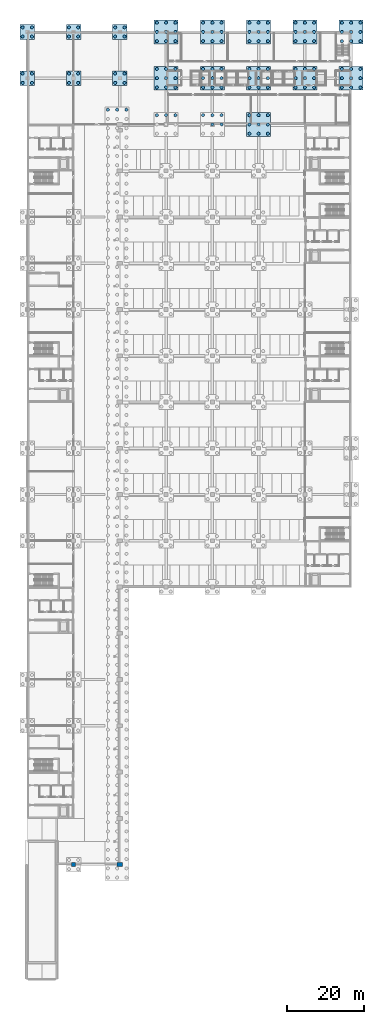
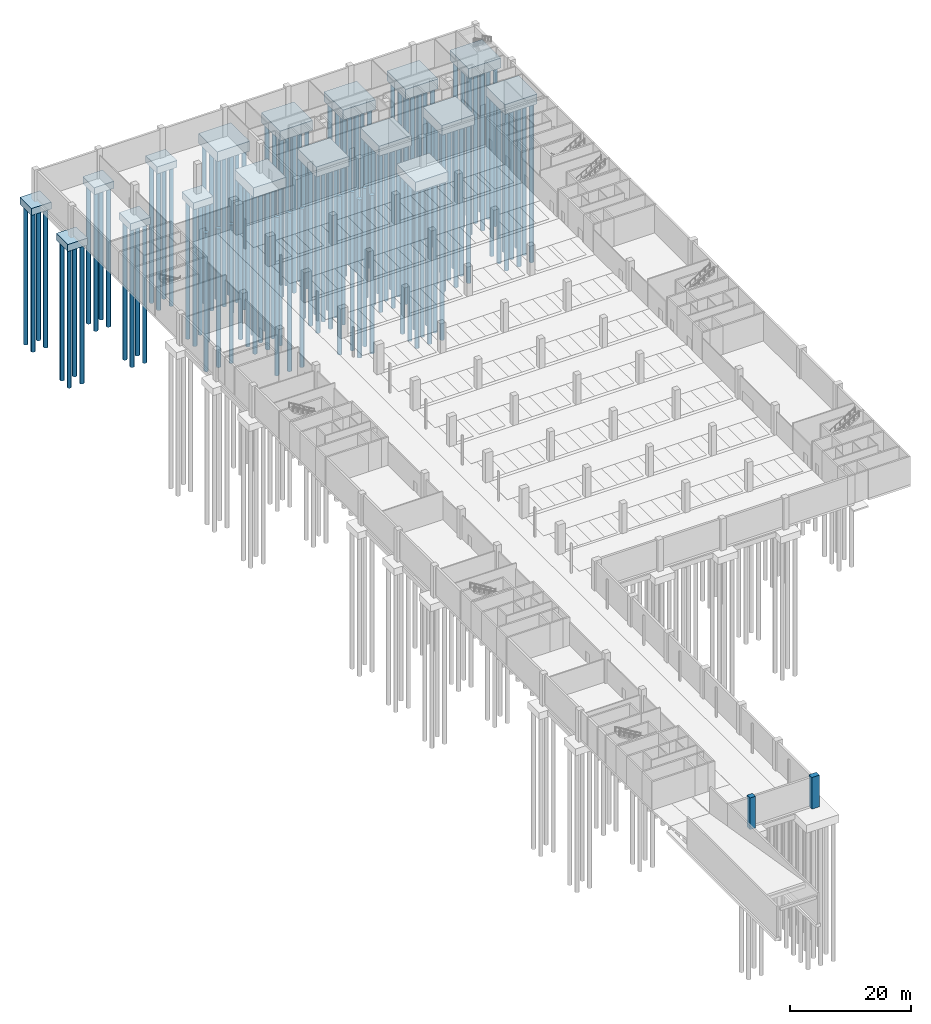
# One storey, part 4 of 34: 134 piles, 17 footings, 2 columns.
"""IFC4 building model written with IfcOpenShell, lengths in metres."""

from ifc_helpers import new_model, si_unit, direction, frame, origin, origin_2d, place, context, subcontext, project, spatial, polyline, rectangle, circle, outline, extrude, material, layer, layer_set, material_profile, profile_set, type_object, element, save


model = new_model("IFC4")

# Units and contexts
model_context = context("Model", 3, precision=1e-05, world=origin(), true_north=direction((0.0, 1.0)))
body_context = subcontext(model_context, "Body", "Model", "MODEL_VIEW")
ifc_project = project(units=[si_unit("LENGTHUNIT", "METRE"), si_unit("AREAUNIT", "SQUARE_METRE"), si_unit("VOLUMEUNIT", "CUBIC_METRE"), si_unit("PLANEANGLEUNIT", "RADIAN"), si_unit("MASSUNIT", "GRAM", prefix="KILO")], contexts=[model_context])

# Site, building, storey
site_placement = place(None, origin())
site = spatial("IfcSite", under=ifc_project, at=site_placement, CompositionType="ELEMENT")
building_placement = place(site_placement, origin())
building = spatial("IfcBuilding", under=site, at=building_placement, Name="Lilac Gate Convention Centre", CompositionType="ELEMENT")
storey_placement = place(building_placement, frame((0.0, 0.0, -6.0)))
storey = spatial("IfcBuildingStorey", under=building, at=storey_placement, Name="B1", CompositionType="ELEMENT", Elevation=-6.0)

# Piles
ifc_material_1 = material(Name="Concrete C35", Category="concrete")
ifc_material_profile_1 = material_profile(ifc_material_1, circle(Radius=0.39990234375, at=origin_2d()), Name="D800")
ifc_profile_set_1 = profile_set([ifc_material_profile_1], Name="Concrete C35")
pile_type_1 = type_object("IfcPileType", Name="Bored pile D800 L28 C35", PredefinedType="BORED", material=ifc_profile_set_1)
for number, where, z_axis, x_axis, name in (
    (1, (26.89990234375, 225.824951171875, -2.0), (0.0, 0.0, -1.0), (1.0, 0.0, 0.0), "PL1 pile 84 of PC3 at 29.3/126.225"),
    (2, (29.300048828125, 225.824951171875, -2.0), (0.0, 0.0, -1.0), (1.0, 0.0, 0.0), "PL1 pile 168 of PC3 at 29.3/126.225"),
    (3, (31.699951171875, 225.824951171875, -2.0), (0.0, 0.0, -1.0), (1.0, 0.0, 0.0), "PL1 pile 252 of PC3 at 29.3/126.225"),
    (4, (4.800048828125, 232.800048828125, -1.800048828125), (0.0, 0.0, -1.0), (1.0, 0.0, 0.0), "PL1 pile 1 of PC1 at 1/T"),
    (5, (4.800048828125, 235.199951171875, -1.800048828125), (0.0, 0.0, -1.0), (1.0, 0.0, 0.0), "PL1 pile 2 of PC1 at 1/T"),
    (6, (7.199951171875, 232.800048828125, -1.800048828125), (0.0, 0.0, -1.0), (1.0, 0.0, 0.0), "PL1 pile 3 of PC1 at 1/T"),
    (7, (7.199951171875, 235.199951171875, -1.800048828125), (0.0, 0.0, -1.0), (1.0, 0.0, 0.0), "PL1 pile 4 of PC1 at 1/T"),
    (8, (16.800048828125, 232.800048828125, -1.800048828125), (0.0, 0.0, -1.0), (1.0, 0.0, 0.0), "PL1 pile 1 of PC1 at 2/T"),
    (9, (16.800048828125, 235.199951171875, -1.800048828125), (0.0, 0.0, -1.0), (1.0, 0.0, 0.0), "PL1 pile 2 of PC1 at 2/T"),
    (10, (19.199951171875, 232.800048828125, -1.800048828125), (0.0, 0.0, -1.0), (1.0, 0.0, 0.0), "PL1 pile 3 of PC1 at 2/T"),
    (11, (19.199951171875, 235.199951171875, -1.800048828125), (0.0, 0.0, -1.0), (1.0, 0.0, 0.0), "PL1 pile 4 of PC1 at 2/T"),
    (12, (28.800048828125, 232.800048828125, -1.800048828125), (0.0, 0.0, -1.0), (1.0, 0.0, 0.0), "PL1 pile 1 of PC1 at 3/T"),
    (13, (28.800048828125, 235.199951171875, -1.800048828125), (0.0, 0.0, -1.0), (1.0, 0.0, 0.0), "PL1 pile 2 of PC1 at 3/T"),
    (14, (31.199951171875, 232.800048828125, -1.800048828125), (0.0, 0.0, -1.0), (1.0, 0.0, 0.0), "PL1 pile 3 of PC1 at 3/T"),
    (15, (31.199951171875, 235.199951171875, -1.800048828125), (0.0, 0.0, -1.0), (1.0, 0.0, 0.0), "PL1 pile 4 of PC1 at 3/T"),
    (16, (4.800048828125, 244.800048828125, -1.800048828125), (0.0, 0.0, -1.0), (1.0, 0.0, 0.0), "PL1 pile 1 of PC1 at 1/U"),
    (17, (4.800048828125, 247.199951171875, -1.800048828125), (0.0, 0.0, -1.0), (1.0, 0.0, 0.0), "PL1 pile 2 of PC1 at 1/U"),
    (18, (7.199951171875, 244.800048828125, -1.800048828125), (0.0, 0.0, -1.0), (1.0, 0.0, 0.0), "PL1 pile 3 of PC1 at 1/U"),
    (19, (7.199951171875, 247.199951171875, -1.800048828125), (0.0, 0.0, -1.0), (1.0, 0.0, 0.0), "PL1 pile 4 of PC1 at 1/U"),
    (20, (16.800048828125, 244.800048828125, -1.800048828125), (0.0, 0.0, -1.0), (1.0, 0.0, 0.0), "PL1 pile 1 of PC1 at 2/U"),
    (21, (16.800048828125, 247.199951171875, -1.800048828125), (0.0, 0.0, -1.0), (1.0, 0.0, 0.0), "PL1 pile 2 of PC1 at 2/U"),
    (22, (19.199951171875, 244.800048828125, -1.800048828125), (0.0, 0.0, -1.0), (1.0, 0.0, 0.0), "PL1 pile 3 of PC1 at 2/U"),
    (23, (19.199951171875, 247.199951171875, -1.800048828125), (0.0, 0.0, -1.0), (1.0, 0.0, 0.0), "PL1 pile 4 of PC1 at 2/U"),
    (24, (28.800048828125, 244.800048828125, -1.800048828125), (0.0, 0.0, -1.0), (1.0, 0.0, 0.0), "PL1 pile 1 of PC1 at 3/U"),
    (25, (28.800048828125, 247.199951171875, -1.800048828125), (0.0, 0.0, -1.0), (1.0, 0.0, 0.0), "PL1 pile 2 of PC1 at 3/U"),
    (26, (31.199951171875, 244.800048828125, -1.800048828125), (0.0, 0.0, -1.0), (1.0, 0.0, 0.0), "PL1 pile 3 of PC1 at 3/U"),
    (27, (31.199951171875, 247.199951171875, -1.800048828125), (0.0, 0.0, -1.0), (1.0, 0.0, 0.0), "PL1 pile 4 of PC1 at 3/U"),
):
    element("IfcPile", number, at=place(storey_placement, frame(where, z_axis=z_axis, x_axis=x_axis)), inside=storey, type_object=pile_type_1, Name=name, PredefinedType="BORED", context=body_context, shape_type="SweptSolid", body=[
        extrude(circle(Radius=0.39990234375, at=origin_2d()), origin(), (0.0, 0.0, 1.0), 28.0),
    ])
ifc_material_profile_2 = material_profile(ifc_material_1, circle(Radius=0.39990234375, at=origin_2d()), Name="D800")
ifc_profile_set_2 = profile_set([ifc_material_profile_2], Name="Concrete C35")
pile_type_2 = type_object("IfcPileType", Name="Bored pile D800 L32 C35", PredefinedType="BORED", material=ifc_profile_set_2)
for number, where, z_axis, x_axis, name in (
    (28, (39.60009765625, 224.39990234375, -2.39990234375), (0.0, 0.0, -1.0), (1.0, 0.0, 0.0), "PL2 pile 3 of PC4 at 4/S"),
    (29, (42.0, 224.39990234375, -2.39990234375), (0.0, 0.0, -1.0), (1.0, 0.0, 0.0), "PL2 pile 6 of PC4 at 4/S"),
    (30, (44.39990234375, 224.39990234375, -2.39990234375), (0.0, 0.0, -1.0), (1.0, 0.0, 0.0), "PL2 pile 9 of PC4 at 4/S"),
    (31, (51.60009765625, 224.39990234375, -2.39990234375), (0.0, 0.0, -1.0), (1.0, 0.0, 0.0), "PL2 pile 3 of PC4 at 5/S"),
    (32, (54.0, 222.0, -2.39990234375), (0.0, 0.0, -1.0), (1.0, 0.0, 0.0), "PL2 pile 5 of PC4 at 5/S"),
    (33, (54.0, 224.39990234375, -2.39990234375), (0.0, 0.0, -1.0), (1.0, 0.0, 0.0), "PL2 pile 6 of PC4 at 5/S"),
    (34, (56.39990234375, 222.0, -2.39990234375), (0.0, 0.0, -1.0), (1.0, 0.0, 0.0), "PL2 pile 8 of PC4 at 5/S"),
    (35, (56.39990234375, 224.39990234375, -2.39990234375), (0.0, 0.0, -1.0), (1.0, 0.0, 0.0), "PL2 pile 9 of PC4 at 5/S"),
    (36, (63.60009765625, 219.60009765625, -2.39990234375), (0.0, 0.0, -1.0), (1.0, 0.0, 0.0), "PL2 pile 1 of PC4 at 6/S"),
    (37, (63.60009765625, 222.0, -2.39990234375), (0.0, 0.0, -1.0), (1.0, 0.0, 0.0), "PL2 pile 2 of PC4 at 6/S"),
    (38, (63.60009765625, 224.39990234375, -2.39990234375), (0.0, 0.0, -1.0), (1.0, 0.0, 0.0), "PL2 pile 3 of PC4 at 6/S"),
    (39, (66.0, 219.60009765625, -2.39990234375), (0.0, 0.0, -1.0), (1.0, 0.0, 0.0), "PL2 pile 4 of PC4 at 6/S"),
    (40, (66.0, 222.0, -2.39990234375), (0.0, 0.0, -1.0), (1.0, 0.0, 0.0), "PL2 pile 5 of PC4 at 6/S"),
    (41, (66.0, 224.39990234375, -2.39990234375), (0.0, 0.0, -1.0), (1.0, 0.0, 0.0), "PL2 pile 6 of PC4 at 6/S"),
    (42, (68.39990234375, 219.60009765625, -2.39990234375), (0.0, 0.0, -1.0), (1.0, 0.0, 0.0), "PL2 pile 7 of PC4 at 6/S"),
    (43, (68.39990234375, 222.0, -2.39990234375), (0.0, 0.0, -1.0), (1.0, 0.0, 0.0), "PL2 pile 8 of PC4 at 6/S"),
    (44, (68.39990234375, 224.39990234375, -2.39990234375), (0.0, 0.0, -1.0), (1.0, 0.0, 0.0), "PL2 pile 9 of PC4 at 6/S"),
    (45, (39.60009765625, 231.60009765625, -2.39990234375), (0.0, 0.0, -1.0), (1.0, 0.0, 0.0), "PL2 pile 1 of PC4 at 4/T"),
    (46, (39.60009765625, 234.0, -2.39990234375), (0.0, 0.0, -1.0), (1.0, 0.0, 0.0), "PL2 pile 2 of PC4 at 4/T"),
    (47, (39.60009765625, 236.39990234375, -2.39990234375), (0.0, 0.0, -1.0), (1.0, 0.0, 0.0), "PL2 pile 3 of PC4 at 4/T"),
    (48, (42.0, 231.60009765625, -2.39990234375), (0.0, 0.0, -1.0), (1.0, 0.0, 0.0), "PL2 pile 4 of PC4 at 4/T"),
    (49, (42.0, 234.0, -2.39990234375), (0.0, 0.0, -1.0), (1.0, 0.0, 0.0), "PL2 pile 5 of PC4 at 4/T"),
    (50, (42.0, 236.39990234375, -2.39990234375), (0.0, 0.0, -1.0), (1.0, 0.0, 0.0), "PL2 pile 6 of PC4 at 4/T"),
    (51, (44.39990234375, 231.60009765625, -2.39990234375), (0.0, 0.0, -1.0), (1.0, 0.0, 0.0), "PL2 pile 7 of PC4 at 4/T"),
    (52, (44.39990234375, 234.0, -2.39990234375), (0.0, 0.0, -1.0), (1.0, 0.0, 0.0), "PL2 pile 8 of PC4 at 4/T"),
    (53, (44.39990234375, 236.39990234375, -2.39990234375), (0.0, 0.0, -1.0), (1.0, 0.0, 0.0), "PL2 pile 9 of PC4 at 4/T"),
    (54, (51.60009765625, 231.60009765625, -2.39990234375), (0.0, 0.0, -1.0), (1.0, 0.0, 0.0), "PL2 pile 1 of PC4 at 5/T"),
    (55, (51.60009765625, 234.0, -2.39990234375), (0.0, 0.0, -1.0), (1.0, 0.0, 0.0), "PL2 pile 2 of PC4 at 5/T"),
    (56, (51.60009765625, 236.39990234375, -2.39990234375), (0.0, 0.0, -1.0), (1.0, 0.0, 0.0), "PL2 pile 3 of PC4 at 5/T"),
    (57, (54.0, 231.60009765625, -2.39990234375), (0.0, 0.0, -1.0), (1.0, 0.0, 0.0), "PL2 pile 4 of PC4 at 5/T"),
    (58, (54.0, 234.0, -2.39990234375), (0.0, 0.0, -1.0), (1.0, 0.0, 0.0), "PL2 pile 5 of PC4 at 5/T"),
    (59, (54.0, 236.39990234375, -2.39990234375), (0.0, 0.0, -1.0), (1.0, 0.0, 0.0), "PL2 pile 6 of PC4 at 5/T"),
    (60, (56.39990234375, 231.60009765625, -2.39990234375), (0.0, 0.0, -1.0), (1.0, 0.0, 0.0), "PL2 pile 7 of PC4 at 5/T"),
    (61, (56.39990234375, 234.0, -2.39990234375), (0.0, 0.0, -1.0), (1.0, 0.0, 0.0), "PL2 pile 8 of PC4 at 5/T"),
    (62, (56.39990234375, 236.39990234375, -2.39990234375), (0.0, 0.0, -1.0), (1.0, 0.0, 0.0), "PL2 pile 9 of PC4 at 5/T"),
    (63, (63.60009765625, 231.60009765625, -2.39990234375), (0.0, 0.0, -1.0), (1.0, 0.0, 0.0), "PL2 pile 1 of PC4 at 6/T"),
    (64, (63.60009765625, 234.0, -2.39990234375), (0.0, 0.0, -1.0), (1.0, 0.0, 0.0), "PL2 pile 2 of PC4 at 6/T"),
    (65, (63.60009765625, 236.39990234375, -2.39990234375), (0.0, 0.0, -1.0), (1.0, 0.0, 0.0), "PL2 pile 3 of PC4 at 6/T"),
    (66, (66.0, 231.60009765625, -2.39990234375), (0.0, 0.0, -1.0), (1.0, 0.0, 0.0), "PL2 pile 4 of PC4 at 6/T"),
    (67, (66.0, 234.0, -2.39990234375), (0.0, 0.0, -1.0), (1.0, 0.0, 0.0), "PL2 pile 5 of PC4 at 6/T"),
    (68, (66.0, 236.39990234375, -2.39990234375), (0.0, 0.0, -1.0), (1.0, 0.0, 0.0), "PL2 pile 6 of PC4 at 6/T"),
    (69, (68.39990234375, 231.60009765625, -2.39990234375), (0.0, 0.0, -1.0), (1.0, 0.0, 0.0), "PL2 pile 7 of PC4 at 6/T"),
    (70, (68.39990234375, 234.0, -2.39990234375), (0.0, 0.0, -1.0), (1.0, 0.0, 0.0), "PL2 pile 8 of PC4 at 6/T"),
    (71, (68.39990234375, 236.39990234375, -2.39990234375), (0.0, 0.0, -1.0), (1.0, 0.0, 0.0), "PL2 pile 9 of PC4 at 6/T"),
    (72, (75.60009765625, 231.60009765625, -2.39990234375), (0.0, 0.0, -1.0), (1.0, 0.0, 0.0), "PL2 pile 1 of PC4 at 7/T"),
    (73, (75.60009765625, 234.0, -2.39990234375), (0.0, 0.0, -1.0), (1.0, 0.0, 0.0), "PL2 pile 2 of PC4 at 7/T"),
    (74, (75.60009765625, 236.39990234375, -2.39990234375), (0.0, 0.0, -1.0), (1.0, 0.0, 0.0), "PL2 pile 3 of PC4 at 7/T"),
    (75, (78.0, 231.60009765625, -2.39990234375), (0.0, 0.0, -1.0), (1.0, 0.0, 0.0), "PL2 pile 4 of PC4 at 7/T"),
    (76, (78.0, 234.0, -2.39990234375), (0.0, 0.0, -1.0), (1.0, 0.0, 0.0), "PL2 pile 5 of PC4 at 7/T"),
    (77, (78.0, 236.39990234375, -2.39990234375), (0.0, 0.0, -1.0), (1.0, 0.0, 0.0), "PL2 pile 6 of PC4 at 7/T"),
    (78, (80.39990234375, 231.60009765625, -2.39990234375), (0.0, 0.0, -1.0), (1.0, 0.0, 0.0), "PL2 pile 7 of PC4 at 7/T"),
    (79, (80.39990234375, 234.0, -2.39990234375), (0.0, 0.0, -1.0), (1.0, 0.0, 0.0), "PL2 pile 8 of PC4 at 7/T"),
    (80, (80.39990234375, 236.39990234375, -2.39990234375), (0.0, 0.0, -1.0), (1.0, 0.0, 0.0), "PL2 pile 9 of PC4 at 7/T"),
    (81, (87.60009765625, 231.60009765625, -2.39990234375), (0.0, 0.0, -1.0), (1.0, 0.0, 0.0), "PL2 pile 1 of PC4 at 8/T"),
    (82, (87.60009765625, 234.0, -2.39990234375), (0.0, 0.0, -1.0), (1.0, 0.0, 0.0), "PL2 pile 2 of PC4 at 8/T"),
    (83, (87.60009765625, 236.39990234375, -2.39990234375), (0.0, 0.0, -1.0), (1.0, 0.0, 0.0), "PL2 pile 3 of PC4 at 8/T"),
    (84, (90.0, 231.60009765625, -2.39990234375), (0.0, 0.0, -1.0), (1.0, 0.0, 0.0), "PL2 pile 4 of PC4 at 8/T"),
    (85, (90.0, 234.0, -2.39990234375), (0.0, 0.0, -1.0), (1.0, 0.0, 0.0), "PL2 pile 5 of PC4 at 8/T"),
    (86, (90.0, 236.39990234375, -2.39990234375), (0.0, 0.0, -1.0), (1.0, 0.0, 0.0), "PL2 pile 6 of PC4 at 8/T"),
    (87, (92.39990234375, 231.60009765625, -2.39990234375), (0.0, 0.0, -1.0), (1.0, 0.0, 0.0), "PL2 pile 7 of PC4 at 8/T"),
    (88, (92.39990234375, 234.0, -2.39990234375), (0.0, 0.0, -1.0), (1.0, 0.0, 0.0), "PL2 pile 8 of PC4 at 8/T"),
    (89, (92.39990234375, 236.39990234375, -2.39990234375), (0.0, 0.0, -1.0), (1.0, 0.0, 0.0), "PL2 pile 9 of PC4 at 8/T"),
    (90, (39.60009765625, 243.60009765625, -2.39990234375), (0.0, 0.0, -1.0), (1.0, 0.0, 0.0), "PL2 pile 1 of PC4 at 4/U"),
    (91, (39.60009765625, 246.0, -2.39990234375), (0.0, 0.0, -1.0), (1.0, 0.0, 0.0), "PL2 pile 2 of PC4 at 4/U"),
    (92, (39.60009765625, 248.39990234375, -2.39990234375), (0.0, 0.0, -1.0), (1.0, 0.0, 0.0), "PL2 pile 3 of PC4 at 4/U"),
    (93, (42.0, 243.60009765625, -2.39990234375), (0.0, 0.0, -1.0), (1.0, 0.0, 0.0), "PL2 pile 4 of PC4 at 4/U"),
    (94, (42.0, 246.0, -2.39990234375), (0.0, 0.0, -1.0), (1.0, 0.0, 0.0), "PL2 pile 5 of PC4 at 4/U"),
    (95, (42.0, 248.39990234375, -2.39990234375), (0.0, 0.0, -1.0), (1.0, 0.0, 0.0), "PL2 pile 6 of PC4 at 4/U"),
    (96, (44.39990234375, 243.60009765625, -2.39990234375), (0.0, 0.0, -1.0), (1.0, 0.0, 0.0), "PL2 pile 7 of PC4 at 4/U"),
    (97, (44.39990234375, 246.0, -2.39990234375), (0.0, 0.0, -1.0), (1.0, 0.0, 0.0), "PL2 pile 8 of PC4 at 4/U"),
    (98, (44.39990234375, 248.39990234375, -2.39990234375), (0.0, 0.0, -1.0), (1.0, 0.0, 0.0), "PL2 pile 9 of PC4 at 4/U"),
    (99, (51.60009765625, 243.60009765625, -2.39990234375), (0.0, 0.0, -1.0), (1.0, 0.0, 0.0), "PL2 pile 1 of PC4 at 5/U"),
    (100, (51.60009765625, 246.0, -2.39990234375), (0.0, 0.0, -1.0), (1.0, 0.0, 0.0), "PL2 pile 2 of PC4 at 5/U"),
    (101, (51.60009765625, 248.39990234375, -2.39990234375), (0.0, 0.0, -1.0), (1.0, 0.0, 0.0), "PL2 pile 3 of PC4 at 5/U"),
    (102, (54.0, 243.60009765625, -2.39990234375), (0.0, 0.0, -1.0), (1.0, 0.0, 0.0), "PL2 pile 4 of PC4 at 5/U"),
    (103, (54.0, 246.0, -2.39990234375), (0.0, 0.0, -1.0), (1.0, 0.0, 0.0), "PL2 pile 5 of PC4 at 5/U"),
    (104, (54.0, 248.39990234375, -2.39990234375), (0.0, 0.0, -1.0), (1.0, 0.0, 0.0), "PL2 pile 6 of PC4 at 5/U"),
    (105, (56.39990234375, 243.60009765625, -2.39990234375), (0.0, 0.0, -1.0), (1.0, 0.0, 0.0), "PL2 pile 7 of PC4 at 5/U"),
    (106, (56.39990234375, 246.0, -2.39990234375), (0.0, 0.0, -1.0), (1.0, 0.0, 0.0), "PL2 pile 8 of PC4 at 5/U"),
    (107, (56.39990234375, 248.39990234375, -2.39990234375), (0.0, 0.0, -1.0), (1.0, 0.0, 0.0), "PL2 pile 9 of PC4 at 5/U"),
    (108, (63.60009765625, 243.60009765625, -2.39990234375), (0.0, 0.0, -1.0), (1.0, 0.0, 0.0), "PL2 pile 1 of PC4 at 6/U"),
    (109, (63.60009765625, 246.0, -2.39990234375), (0.0, 0.0, -1.0), (1.0, 0.0, 0.0), "PL2 pile 2 of PC4 at 6/U"),
    (110, (63.60009765625, 248.39990234375, -2.39990234375), (0.0, 0.0, -1.0), (1.0, 0.0, 0.0), "PL2 pile 3 of PC4 at 6/U"),
    (111, (66.0, 243.60009765625, -2.39990234375), (0.0, 0.0, -1.0), (1.0, 0.0, 0.0), "PL2 pile 4 of PC4 at 6/U"),
    (112, (66.0, 246.0, -2.39990234375), (0.0, 0.0, -1.0), (1.0, 0.0, 0.0), "PL2 pile 5 of PC4 at 6/U"),
    (113, (66.0, 248.39990234375, -2.39990234375), (0.0, 0.0, -1.0), (1.0, 0.0, 0.0), "PL2 pile 6 of PC4 at 6/U"),
    (114, (68.39990234375, 243.60009765625, -2.39990234375), (0.0, 0.0, -1.0), (1.0, 0.0, 0.0), "PL2 pile 7 of PC4 at 6/U"),
    (115, (68.39990234375, 246.0, -2.39990234375), (0.0, 0.0, -1.0), (1.0, 0.0, 0.0), "PL2 pile 8 of PC4 at 6/U"),
    (116, (68.39990234375, 248.39990234375, -2.39990234375), (0.0, 0.0, -1.0), (1.0, 0.0, 0.0), "PL2 pile 9 of PC4 at 6/U"),
    (117, (75.60009765625, 243.60009765625, -2.39990234375), (0.0, 0.0, -1.0), (1.0, 0.0, 0.0), "PL2 pile 1 of PC4 at 7/U"),
    (118, (75.60009765625, 246.0, -2.39990234375), (0.0, 0.0, -1.0), (1.0, 0.0, 0.0), "PL2 pile 2 of PC4 at 7/U"),
    (119, (75.60009765625, 248.39990234375, -2.39990234375), (0.0, 0.0, -1.0), (1.0, 0.0, 0.0), "PL2 pile 3 of PC4 at 7/U"),
    (120, (78.0, 243.60009765625, -2.39990234375), (0.0, 0.0, -1.0), (1.0, 0.0, 0.0), "PL2 pile 4 of PC4 at 7/U"),
    (121, (78.0, 246.0, -2.39990234375), (0.0, 0.0, -1.0), (1.0, 0.0, 0.0), "PL2 pile 5 of PC4 at 7/U"),
    (122, (78.0, 248.39990234375, -2.39990234375), (0.0, 0.0, -1.0), (1.0, 0.0, 0.0), "PL2 pile 6 of PC4 at 7/U"),
    (123, (80.39990234375, 243.60009765625, -2.39990234375), (0.0, 0.0, -1.0), (1.0, 0.0, 0.0), "PL2 pile 7 of PC4 at 7/U"),
    (124, (80.39990234375, 246.0, -2.39990234375), (0.0, 0.0, -1.0), (1.0, 0.0, 0.0), "PL2 pile 8 of PC4 at 7/U"),
    (125, (80.39990234375, 248.39990234375, -2.39990234375), (0.0, 0.0, -1.0), (1.0, 0.0, 0.0), "PL2 pile 9 of PC4 at 7/U"),
    (126, (87.60009765625, 243.60009765625, -2.39990234375), (0.0, 0.0, -1.0), (1.0, 0.0, 0.0), "PL2 pile 1 of PC4 at 8/U"),
    (127, (87.60009765625, 246.0, -2.39990234375), (0.0, 0.0, -1.0), (1.0, 0.0, 0.0), "PL2 pile 2 of PC4 at 8/U"),
    (128, (87.60009765625, 248.39990234375, -2.39990234375), (0.0, 0.0, -1.0), (1.0, 0.0, 0.0), "PL2 pile 3 of PC4 at 8/U"),
    (129, (90.0, 243.60009765625, -2.39990234375), (0.0, 0.0, -1.0), (1.0, 0.0, 0.0), "PL2 pile 4 of PC4 at 8/U"),
    (130, (90.0, 246.0, -2.39990234375), (0.0, 0.0, -1.0), (1.0, 0.0, 0.0), "PL2 pile 5 of PC4 at 8/U"),
    (131, (90.0, 248.39990234375, -2.39990234375), (0.0, 0.0, -1.0), (1.0, 0.0, 0.0), "PL2 pile 6 of PC4 at 8/U"),
    (132, (92.39990234375, 243.60009765625, -2.39990234375), (0.0, 0.0, -1.0), (1.0, 0.0, 0.0), "PL2 pile 7 of PC4 at 8/U"),
    (133, (92.39990234375, 246.0, -2.39990234375), (0.0, 0.0, -1.0), (1.0, 0.0, 0.0), "PL2 pile 8 of PC4 at 8/U"),
    (134, (92.39990234375, 248.39990234375, -2.39990234375), (0.0, 0.0, -1.0), (1.0, 0.0, 0.0), "PL2 pile 9 of PC4 at 8/U"),
):
    element("IfcPile", number, at=place(storey_placement, frame(where, z_axis=z_axis, x_axis=x_axis)), inside=storey, type_object=pile_type_2, Name=name, PredefinedType="BORED", context=body_context, shape_type="SweptSolid", body=[
        extrude(circle(Radius=0.39990234375, at=origin_2d()), origin(), (0.0, 0.0, 1.0), 32.0),
    ])

# Footings
ifc_material_2 = material(Name="Concrete C40", Category="concrete")
ifc_layer_1 = layer(ifc_material_2, 1.39990234375)
ifc_layer_set_1 = layer_set([ifc_layer_1], Name="Concrete C40")
footing_type_1 = type_object("IfcFootingType", Name="Pile cap 2x2 piles 1400 C40", PredefinedType="PILE_CAP", material=ifc_layer_set_1)
footing_1_placement = place(storey_placement, frame((0.0, 0.0, -1.800048828125)))
element("IfcFooting", 135, at=footing_1_placement, inside=storey, type_object=footing_type_1, Name="PC1 pile cap at 1/T", PredefinedType="PILE_CAP", context=body_context, shape_type="SweptSolid", body=[
    extrude(outline(polyline([(4.10009765625, 232.10009765625), (7.89990234375, 232.10009765625), (7.89990234375, 235.89990234375), (4.10009765625, 235.89990234375), (4.10009765625, 232.10009765625)])), origin(), (0.0, 0.0, 1.0), 1.400146484375),
])
footing_2_placement = place(storey_placement, frame((0.0, 0.0, -1.800048828125)))
element("IfcFooting", 136, at=footing_2_placement, inside=storey, type_object=footing_type_1, Name="PC1 pile cap at 2/T", PredefinedType="PILE_CAP", context=body_context, shape_type="SweptSolid", body=[
    extrude(outline(polyline([(16.10009765625, 232.10009765625), (19.89990234375, 232.10009765625), (19.89990234375, 235.89990234375), (16.10009765625, 235.89990234375), (16.10009765625, 232.10009765625)])), origin(), (0.0, 0.0, 1.0), 1.400146484375),
])
footing_3_placement = place(storey_placement, frame((0.0, 0.0, -1.800048828125)))
element("IfcFooting", 137, at=footing_3_placement, inside=storey, type_object=footing_type_1, Name="PC1 pile cap at 3/T", PredefinedType="PILE_CAP", context=body_context, shape_type="SweptSolid", body=[
    extrude(outline(polyline([(28.10009765625, 232.10009765625), (31.89990234375, 232.10009765625), (31.89990234375, 235.89990234375), (28.10009765625, 235.89990234375), (28.10009765625, 232.10009765625)])), origin(), (0.0, 0.0, 1.0), 1.400146484375),
])
footing_4_placement = place(storey_placement, frame((0.0, 0.0, -1.800048828125)))
element("IfcFooting", 138, at=footing_4_placement, inside=storey, type_object=footing_type_1, Name="PC1 pile cap at 1/U", PredefinedType="PILE_CAP", context=body_context, shape_type="SweptSolid", body=[
    extrude(outline(polyline([(4.10009765625, 244.10009765625), (7.89990234375, 244.10009765625), (7.89990234375, 247.89990234375), (4.10009765625, 247.89990234375), (4.10009765625, 244.10009765625)])), origin(), (0.0, 0.0, 1.0), 1.400146484375),
])
footing_5_placement = place(storey_placement, frame((0.0, 0.0, -1.800048828125)))
element("IfcFooting", 139, at=footing_5_placement, inside=storey, type_object=footing_type_1, Name="PC1 pile cap at 2/U", PredefinedType="PILE_CAP", context=body_context, shape_type="SweptSolid", body=[
    extrude(outline(polyline([(16.10009765625, 244.10009765625), (19.89990234375, 244.10009765625), (19.89990234375, 247.89990234375), (16.10009765625, 247.89990234375), (16.10009765625, 244.10009765625)])), origin(), (0.0, 0.0, 1.0), 1.400146484375),
])
footing_6_placement = place(storey_placement, frame((0.0, 0.0, -1.800048828125)))
element("IfcFooting", 140, at=footing_6_placement, inside=storey, type_object=footing_type_1, Name="PC1 pile cap at 3/U", PredefinedType="PILE_CAP", context=body_context, shape_type="SweptSolid", body=[
    extrude(outline(polyline([(28.10009765625, 244.10009765625), (31.89990234375, 244.10009765625), (31.89990234375, 247.89990234375), (28.10009765625, 247.89990234375), (28.10009765625, 244.10009765625)])), origin(), (0.0, 0.0, 1.0), 1.400146484375),
])
ifc_layer_2 = layer(ifc_material_2, 2.0)
ifc_layer_set_2 = layer_set([ifc_layer_2], Name="Concrete C40")
footing_type_2 = type_object("IfcFootingType", Name="Pile cap 3x3 piles 2000 C40", PredefinedType="PILE_CAP", material=ifc_layer_set_2)
footing_7_placement = place(storey_placement, frame((0.0, 0.0, -2.39990234375)))
element("IfcFooting", 141, at=footing_7_placement, inside=storey, type_object=footing_type_2, Name="PC4 pile cap at 6/S", PredefinedType="PILE_CAP", context=body_context, shape_type="SweptSolid", body=[
    extrude(outline(polyline([(62.89990234375, 218.89990234375), (69.10009765625, 218.89990234375), (69.10009765625, 225.10009765625), (62.89990234375, 225.10009765625), (62.89990234375, 218.89990234375)])), origin(), (0.0, 0.0, 1.0), 2.0),
])
footing_8_placement = place(storey_placement, frame((0.0, 0.0, -2.39990234375)))
element("IfcFooting", 142, at=footing_8_placement, inside=storey, type_object=footing_type_2, Name="PC4 pile cap at 4/T", PredefinedType="PILE_CAP", context=body_context, shape_type="SweptSolid", body=[
    extrude(outline(polyline([(38.89990234375, 230.89990234375), (45.10009765625, 230.89990234375), (45.10009765625, 237.10009765625), (38.89990234375, 237.10009765625), (38.89990234375, 230.89990234375)])), origin(), (0.0, 0.0, 1.0), 2.0),
])
footing_9_placement = place(storey_placement, frame((0.0, 0.0, -2.39990234375)))
element("IfcFooting", 143, at=footing_9_placement, inside=storey, type_object=footing_type_2, Name="PC4 pile cap at 5/T", PredefinedType="PILE_CAP", context=body_context, shape_type="SweptSolid", body=[
    extrude(outline(polyline([(50.89990234375, 230.89990234375), (57.10009765625, 230.89990234375), (57.10009765625, 237.10009765625), (50.89990234375, 237.10009765625), (50.89990234375, 230.89990234375)])), origin(), (0.0, 0.0, 1.0), 2.0),
])
footing_10_placement = place(storey_placement, frame((0.0, 0.0, -2.39990234375)))
element("IfcFooting", 144, at=footing_10_placement, inside=storey, type_object=footing_type_2, Name="PC4 pile cap at 6/T", PredefinedType="PILE_CAP", context=body_context, shape_type="SweptSolid", body=[
    extrude(outline(polyline([(62.89990234375, 230.89990234375), (69.10009765625, 230.89990234375), (69.10009765625, 237.10009765625), (62.89990234375, 237.10009765625), (62.89990234375, 230.89990234375)])), origin(), (0.0, 0.0, 1.0), 2.0),
])
footing_11_placement = place(storey_placement, frame((0.0, 0.0, -2.39990234375)))
element("IfcFooting", 145, at=footing_11_placement, inside=storey, type_object=footing_type_2, Name="PC4 pile cap at 7/T", PredefinedType="PILE_CAP", context=body_context, shape_type="SweptSolid", body=[
    extrude(outline(polyline([(74.89990234375, 230.89990234375), (81.10009765625, 230.89990234375), (81.10009765625, 237.10009765625), (74.89990234375, 237.10009765625), (74.89990234375, 230.89990234375)])), origin(), (0.0, 0.0, 1.0), 2.0),
])
footing_12_placement = place(storey_placement, frame((0.0, 0.0, -2.39990234375)))
element("IfcFooting", 146, at=footing_12_placement, inside=storey, type_object=footing_type_2, Name="PC4 pile cap at 8/T", PredefinedType="PILE_CAP", context=body_context, shape_type="SweptSolid", body=[
    extrude(outline(polyline([(86.89990234375, 230.89990234375), (93.10009765625, 230.89990234375), (93.10009765625, 237.10009765625), (86.89990234375, 237.10009765625), (86.89990234375, 230.89990234375)])), origin(), (0.0, 0.0, 1.0), 2.0),
])
footing_13_placement = place(storey_placement, frame((0.0, 0.0, -2.39990234375)))
element("IfcFooting", 147, at=footing_13_placement, inside=storey, type_object=footing_type_2, Name="PC4 pile cap at 4/U", PredefinedType="PILE_CAP", context=body_context, shape_type="SweptSolid", body=[
    extrude(outline(polyline([(38.89990234375, 242.89990234375), (45.10009765625, 242.89990234375), (45.10009765625, 249.10009765625), (38.89990234375, 249.10009765625), (38.89990234375, 242.89990234375)])), origin(), (0.0, 0.0, 1.0), 2.0),
])
footing_14_placement = place(storey_placement, frame((0.0, 0.0, -2.39990234375)))
element("IfcFooting", 148, at=footing_14_placement, inside=storey, type_object=footing_type_2, Name="PC4 pile cap at 5/U", PredefinedType="PILE_CAP", context=body_context, shape_type="SweptSolid", body=[
    extrude(outline(polyline([(50.89990234375, 242.89990234375), (57.10009765625, 242.89990234375), (57.10009765625, 249.10009765625), (50.89990234375, 249.10009765625), (50.89990234375, 242.89990234375)])), origin(), (0.0, 0.0, 1.0), 2.0),
])
footing_15_placement = place(storey_placement, frame((0.0, 0.0, -2.39990234375)))
element("IfcFooting", 149, at=footing_15_placement, inside=storey, type_object=footing_type_2, Name="PC4 pile cap at 6/U", PredefinedType="PILE_CAP", context=body_context, shape_type="SweptSolid", body=[
    extrude(outline(polyline([(62.89990234375, 242.89990234375), (69.10009765625, 242.89990234375), (69.10009765625, 249.10009765625), (62.89990234375, 249.10009765625), (62.89990234375, 242.89990234375)])), origin(), (0.0, 0.0, 1.0), 2.0),
])
footing_16_placement = place(storey_placement, frame((0.0, 0.0, -2.39990234375)))
element("IfcFooting", 150, at=footing_16_placement, inside=storey, type_object=footing_type_2, Name="PC4 pile cap at 7/U", PredefinedType="PILE_CAP", context=body_context, shape_type="SweptSolid", body=[
    extrude(outline(polyline([(74.89990234375, 242.89990234375), (81.10009765625, 242.89990234375), (81.10009765625, 249.10009765625), (74.89990234375, 249.10009765625), (74.89990234375, 242.89990234375)])), origin(), (0.0, 0.0, 1.0), 2.0),
])
footing_17_placement = place(storey_placement, frame((0.0, 0.0, -2.39990234375)))
element("IfcFooting", 151, at=footing_17_placement, inside=storey, type_object=footing_type_2, Name="PC4 pile cap at 8/U", PredefinedType="PILE_CAP", context=body_context, shape_type="SweptSolid", body=[
    extrude(outline(polyline([(86.89990234375, 242.89990234375), (93.10009765625, 242.89990234375), (93.10009765625, 249.10009765625), (86.89990234375, 249.10009765625), (86.89990234375, 242.89990234375)])), origin(), (0.0, 0.0, 1.0), 2.0),
])

# Columns
ifc_material_profile_3 = material_profile(ifc_material_2, rectangle(XDim=1.0, YDim=1.0, at=origin_2d()), Name="RC 1000x1000")
ifc_profile_set_3 = profile_set([ifc_material_profile_3], Name="Concrete C40")
column_type_1 = type_object("IfcColumnType", Name="RC column 1000x1000 C40", PredefinedType="COLUMN", material=ifc_profile_set_3)
column_1_placement = place(storey_placement, frame((18.0, 30.0, -0.39990234375), z_axis=(0.0, 0.0, 1.0), x_axis=(1.0, 0.0, 0.0)))
element("IfcColumn", 152, at=column_1_placement, inside=storey, type_object=column_type_1, Name="C1 B1 at 2/A", PredefinedType="COLUMN", context=body_context, shape_type="SweptSolid", body=[
    extrude(rectangle(XDim=1.0, YDim=1.0, at=origin_2d()), origin(), (0.0, 0.0, 1.0), 6.39990234375),
])
ifc_material_profile_4 = material_profile(ifc_material_2, rectangle(XDim=1.39990234375, YDim=1.0, at=origin_2d()), Name="RC 1400x1000")
ifc_profile_set_4 = profile_set([ifc_material_profile_4], Name="Concrete C40")
column_type_2 = type_object("IfcColumnType", Name="RC hall column 1400x1000 C40", PredefinedType="COLUMN", material=ifc_profile_set_4)
column_2_placement = place(storey_placement, frame((30.0, 30.0, -0.39990234375), z_axis=(0.0, 0.0, 1.0), x_axis=(1.0, 0.0, 0.0)))
element("IfcColumn", 153, at=column_2_placement, inside=storey, type_object=column_type_2, Name="C2 B1 at 3/A", PredefinedType="COLUMN", context=body_context, shape_type="SweptSolid", body=[
    extrude(rectangle(XDim=1.39990234375, YDim=1.0, at=origin_2d()), origin(), (0.0, 0.0, 1.0), 6.39990234375),
])

save(model, "model.ifc")
